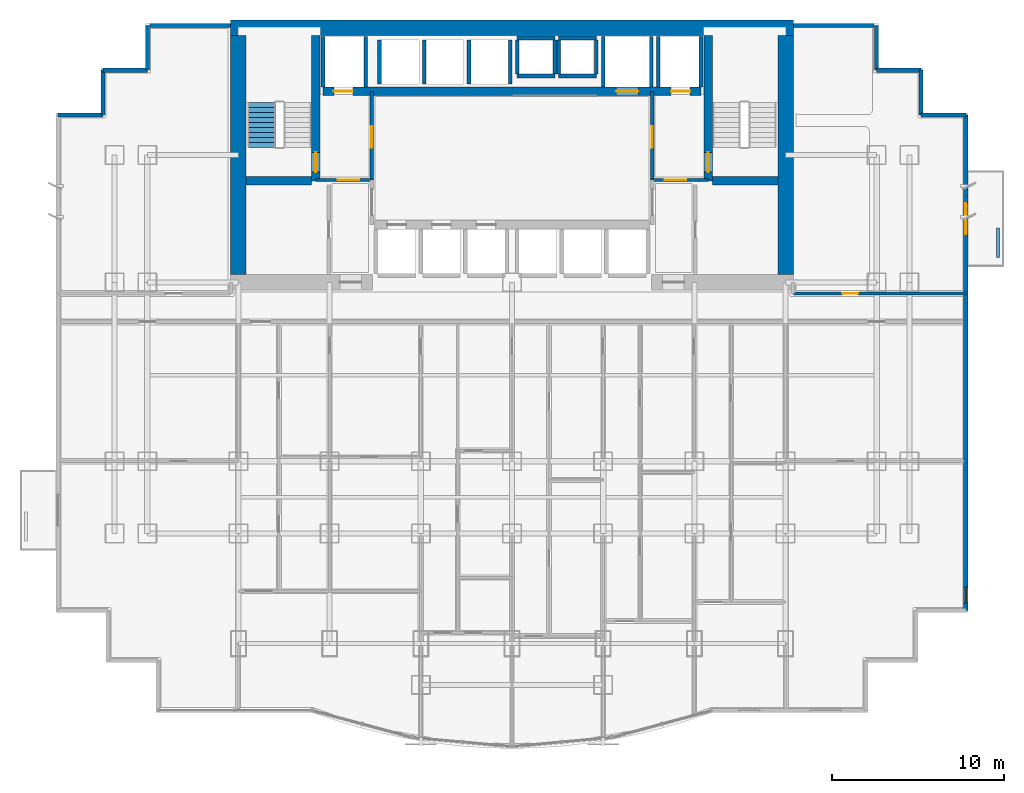
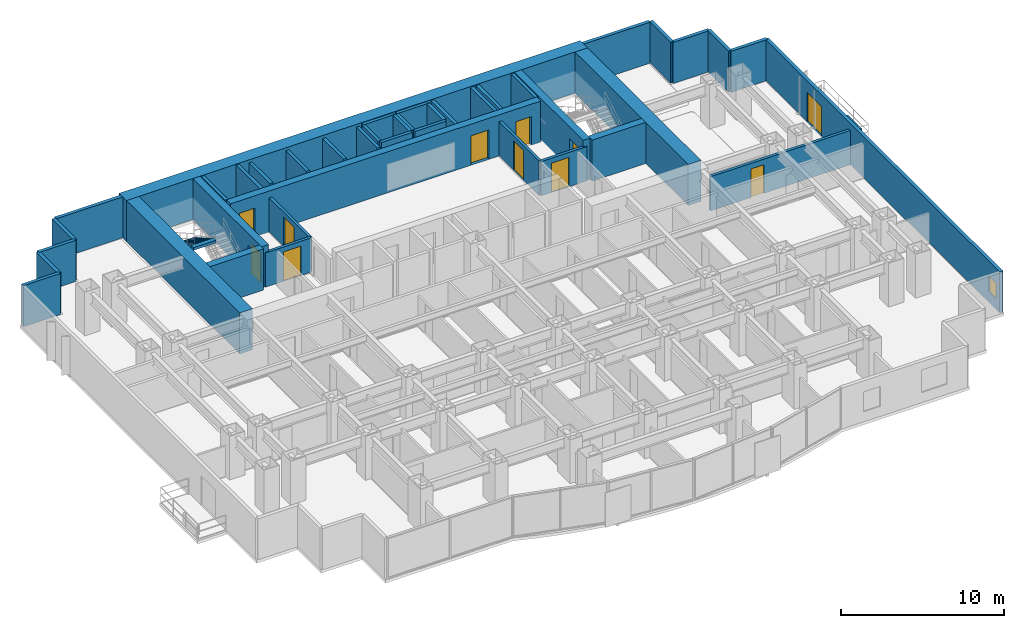
# One storey, part 7 of 10: 43 walls, 11 doors, 1 stair flight, 1 window, 12 openings, 1 element without a shape of its own.
"""IFC4 building model written with IfcOpenShell, lengths in metres."""

from ifc_helpers import new_model, si_unit, direction, frame, frame_2d, origin, place, context, subcontext, project, spatial, polyline, rectangle, outline, extrude, material, layer, layer_set, type_object, element, fill, aggregate, save


model = new_model("IFC4")

# Units and contexts
model_context = context("Model", 3, precision=1e-05, world=origin(), true_north=direction((0.0, 1.0)))
body_context = subcontext(model_context, "Body", "Model", "MODEL_VIEW")
ifc_project = project(units=[si_unit("LENGTHUNIT", "METRE"), si_unit("AREAUNIT", "SQUARE_METRE"), si_unit("VOLUMEUNIT", "CUBIC_METRE"), si_unit("PLANEANGLEUNIT", "RADIAN"), si_unit("MASSUNIT", "GRAM", prefix="KILO")], contexts=[model_context])

# Site, building, storey
site_placement = place(None, origin())
site = spatial("IfcSite", under=ifc_project, at=site_placement, CompositionType="ELEMENT")
building_placement = place(site_placement, origin())
building = spatial("IfcBuilding", under=site, at=building_placement, Name="Qianlan Lanfeng Residences", CompositionType="ELEMENT")
storey_placement = place(building_placement, frame((0.0, 0.0, 57.199951171875)))
storey = spatial("IfcBuildingStorey", under=building, at=storey_placement, Name="L15", CompositionType="ELEMENT", Elevation=57.199951171875)

# Wall, opening, door
ifc_material_1 = material(Name="Concrete C70", Category="concrete")
ifc_layer_1 = layer(ifc_material_1, 0.5)
ifc_layer_set_1 = layer_set([ifc_layer_1], Name="Concrete C70")
wall_type_1 = type_object("IfcWallType", Name="CW-RC-500", PredefinedType="SHEAR", material=ifc_layer_set_1)
wall_1_placement = place(storey_placement, frame((15.10009765625, 31.10009765625, 0.0), z_axis=(0.0, 0.0, 1.0), x_axis=(0.0, 1.0, 0.0)))
wall_1 = element("IfcWall", 1, at=wall_1_placement, inside=storey, type_object=wall_type_1, Name="L15 Core Shear Wall ST1E", PredefinedType="SHEAR", context=body_context, shape_type="SweptSolid", body=[
    extrude(rectangle(XDim=8.449951171875, YDim=0.5, at=frame_2d((4.22509765625, 0.0))), origin(), (0.0, 0.0, 1.0), 3.080078125),
])
opening_1_placement = place(wall_1_placement, frame((0.510009765625, 0.0, 0.0)))
opening_1 = element("IfcOpeningElement", 2, at=opening_1_placement, cuts=wall_1, Name="Opening L15-D07", PredefinedType="OPENING", context=body_context, shape_type="SweptSolid", body=[
    extrude(rectangle(XDim=1.14990234375, YDim=2.199951171875, at=frame_2d((0.574951171875, 1.10009765625))), frame((0.0, 0.260009765625, 0.0), z_axis=(0.0, -1.0, 0.0), x_axis=(1.0, 0.0, 0.0)), (0.0, 0.0, 1.0), 0.52001953125),
])
ifc_material_2 = material(Name="Painted Galvanised Steel Fire Door", Category="steel")
door_type_1 = type_object("IfcDoorType", Name="DT-ST1", OperationType="NOTDEFINED", PredefinedType="DOOR", material=ifc_material_2)
door_1_placement = place(opening_1_placement, frame((1.14990234375, 0.0, 0.0), z_axis=(0.0, 0.0, 1.0), x_axis=(-1.0, 0.0, 0.0)))
door_1 = element("IfcDoor", 3, at=door_1_placement, inside=storey, type_object=door_type_1, Name="L15 Exit Stair ST-1 Door L15-D07 (DT-ST1)", OperationType="SINGLE_SWING_RIGHT", OverallHeight=2.199951171875, OverallWidth=1.14990234375, PredefinedType="DOOR", context=body_context, shape_type="SweptSolid", body=[
    extrude(rectangle(XDim=1.14990234375, YDim=2.199951171875, at=frame_2d((0.574951171875, 1.10009765625))), frame((0.0, 0.02490234375, 0.0), z_axis=(0.0, -1.0, 0.0), x_axis=(1.0, 0.0, 0.0)), (0.0, 0.0, 1.0), 0.050048828125),
])
fill(opening_1, door_1)

# Wall
wall_2_placement = place(storey_placement, frame((11.050048828125, 31.10009765625, 0.0), z_axis=(0.0, 0.0, 1.0), x_axis=(1.0, 0.0, 0.0)))
element("IfcWall", 4, at=wall_2_placement, inside=storey, type_object=wall_type_1, Name="L15 Core Shear Wall ST1S", PredefinedType="SHEAR", context=body_context, shape_type="SweptSolid", body=[
    extrude(rectangle(XDim=3.800048828125, YDim=0.5, at=frame_2d((1.89990234375, 0.0))), origin(), (0.0, 0.0, 1.0), 3.080078125),
])

# Wall, opening, door
wall_3_placement = place(storey_placement, frame((37.89990234375, 31.10009765625, 0.0), z_axis=(0.0, 0.0, 1.0), x_axis=(0.0, 1.0, 0.0)))
wall_3 = element("IfcWall", 5, at=wall_3_placement, inside=storey, type_object=wall_type_1, Name="L15 Core Shear Wall ST2W", PredefinedType="SHEAR", context=body_context, shape_type="SweptSolid", body=[
    extrude(rectangle(XDim=8.449951171875, YDim=0.5, at=frame_2d((4.22509765625, 0.0))), origin(), (0.0, 0.0, 1.0), 3.080078125),
])
opening_2_placement = place(wall_3_placement, frame((0.510009765625, 0.0, 0.0)))
opening_2 = element("IfcOpeningElement", 6, at=opening_2_placement, cuts=wall_3, Name="Opening L15-D08", PredefinedType="OPENING", context=body_context, shape_type="SweptSolid", body=[
    extrude(rectangle(XDim=1.14990234375, YDim=2.199951171875, at=frame_2d((0.574951171875, 1.10009765625))), frame((0.0, 0.260009765625, 0.0), z_axis=(0.0, -1.0, 0.0), x_axis=(1.0, 0.0, 0.0)), (0.0, 0.0, 1.0), 0.52001953125),
])
door_2_placement = place(opening_2_placement, origin())
door_2 = element("IfcDoor", 7, at=door_2_placement, inside=storey, type_object=door_type_1, Name="L15 Exit Stair ST-2 Door L15-D08 (DT-ST1)", OperationType="SINGLE_SWING_RIGHT", OverallHeight=2.199951171875, OverallWidth=1.14990234375, PredefinedType="DOOR", context=body_context, shape_type="SweptSolid", body=[
    extrude(rectangle(XDim=1.14990234375, YDim=2.199951171875, at=frame_2d((0.574951171875, 1.10009765625))), frame((0.0, 0.02490234375, 0.0), z_axis=(0.0, -1.0, 0.0), x_axis=(1.0, 0.0, 0.0)), (0.0, 0.0, 1.0), 0.050048828125),
])
fill(opening_2, door_2)

# Wall
wall_4_placement = place(storey_placement, frame((38.14990234375, 31.10009765625, 0.0), z_axis=(0.0, 0.0, 1.0), x_axis=(1.0, 0.0, 0.0)))
element("IfcWall", 8, at=wall_4_placement, inside=storey, type_object=wall_type_1, Name="L15 Core Shear Wall ST2S", PredefinedType="SHEAR", context=body_context, shape_type="SweptSolid", body=[
    extrude(rectangle(XDim=3.800048828125, YDim=0.5, at=frame_2d((1.89990234375, 0.0))), origin(), (0.0, 0.0, 1.0), 3.080078125),
])

# Wall, openings, doors
wall_5_placement = place(storey_placement, frame((15.5, 36.300048828125, 0.0), z_axis=(0.0, 0.0, 1.0), x_axis=(1.0, 0.0, 0.0)))
wall_5 = element("IfcWall", 9, at=wall_5_placement, inside=storey, type_object=wall_type_1, Name="L15 Core Shear Wall LBN", PredefinedType="SHEAR", context=body_context, shape_type="SweptSolid", body=[
    extrude(rectangle(XDim=22.0, YDim=0.5, at=frame_2d((11.0, 0.0))), origin(), (0.0, 0.0, 1.0), 3.080078125),
])
opening_3_placement = place(wall_5_placement, frame((0.64990234375, 0.0, 0.0)))
opening_3 = element("IfcOpeningElement", 10, at=opening_3_placement, cuts=wall_5, Name="Opening L15-LD-FFL-1", PredefinedType="OPENING", context=body_context, shape_type="SweptSolid", body=[
    extrude(rectangle(XDim=1.10009765625, YDim=2.14990234375, at=frame_2d((0.550048828125, 1.074951171875))), frame((0.0, 0.260009765625, 0.0), z_axis=(0.0, -1.0, 0.0), x_axis=(1.0, 0.0, 0.0)), (0.0, 0.0, 1.0), 0.52001953125),
])
opening_4_placement = place(wall_5_placement, frame((20.25, 0.0, 0.0)))
opening_4 = element("IfcOpeningElement", 11, at=opening_4_placement, cuts=wall_5, Name="Opening L15-LD-FFL-2", PredefinedType="OPENING", context=body_context, shape_type="SweptSolid", body=[
    extrude(rectangle(XDim=1.10009765625, YDim=2.14990234375, at=frame_2d((0.550048828125, 1.074951171875))), frame((0.0, 0.260009765625, 0.0), z_axis=(0.0, -1.0, 0.0), x_axis=(1.0, 0.0, 0.0)), (0.0, 0.0, 1.0), 0.52001953125),
])
opening_5_placement = place(wall_5_placement, frame((17.050048828125, 0.0, 0.0)))
opening_5 = element("IfcOpeningElement", 12, at=opening_5_placement, cuts=wall_5, Name="Opening L15-LD-SVL-1", PredefinedType="OPENING", context=body_context, shape_type="SweptSolid", body=[
    extrude(rectangle(XDim=1.300048828125, YDim=2.199951171875, at=frame_2d((0.64990234375, 1.10009765625))), frame((0.0, 0.260009765625, 0.0), z_axis=(0.0, -1.0, 0.0), x_axis=(1.0, 0.0, 0.0)), (0.0, 0.0, 1.0), 0.52001953125),
])
ifc_material_3 = material(Name="Brushed Stainless Steel Sliding Lift Door", Category="steel")
door_type_2 = type_object("IfcDoorType", Name="LD-01", OperationType="NOTDEFINED", PredefinedType="DOOR", material=ifc_material_3)
door_3_placement = place(opening_3_placement, frame((1.10009765625, 0.0, 0.0), z_axis=(0.0, 0.0, 1.0), x_axis=(-1.0, 0.0, 0.0)))
door_3 = element("IfcDoor", 13, at=door_3_placement, inside=storey, type_object=door_type_2, Name="L15 Elevator FFL-1 Sliding Landing Door", OperationType="DOUBLE_DOOR_SLIDING", OverallHeight=2.14990234375, OverallWidth=1.10009765625, PredefinedType="DOOR", context=body_context, shape_type="SweptSolid", body=[
    extrude(rectangle(XDim=1.10009765625, YDim=2.14990234375, at=frame_2d((0.550048828125, 1.074951171875))), frame((0.0, 0.02490234375, 0.0), z_axis=(0.0, -1.0, 0.0), x_axis=(1.0, 0.0, 0.0)), (0.0, 0.0, 1.0), 0.050048828125),
])
fill(opening_3, door_3)
door_4_placement = place(opening_4_placement, frame((1.10009765625, 0.0, 0.0), z_axis=(0.0, 0.0, 1.0), x_axis=(-1.0, 0.0, 0.0)))
door_4 = element("IfcDoor", 14, at=door_4_placement, inside=storey, type_object=door_type_2, Name="L15 Elevator FFL-2 Sliding Landing Door", OperationType="DOUBLE_DOOR_SLIDING", OverallHeight=2.14990234375, OverallWidth=1.10009765625, PredefinedType="DOOR", context=body_context, shape_type="SweptSolid", body=[
    extrude(rectangle(XDim=1.10009765625, YDim=2.14990234375, at=frame_2d((0.550048828125, 1.074951171875))), frame((0.0, 0.02490234375, 0.0), z_axis=(0.0, -1.0, 0.0), x_axis=(1.0, 0.0, 0.0)), (0.0, 0.0, 1.0), 0.050048828125),
])
fill(opening_4, door_4)
door_type_3 = type_object("IfcDoorType", Name="LD-02", OperationType="NOTDEFINED", PredefinedType="DOOR", material=ifc_material_3)
door_5_placement = place(opening_5_placement, frame((1.300048828125, 0.0, 0.0), z_axis=(0.0, 0.0, 1.0), x_axis=(-1.0, 0.0, 0.0)))
door_5 = element("IfcDoor", 15, at=door_5_placement, inside=storey, type_object=door_type_3, Name="L15 Elevator SVL-1 Sliding Landing Door", OperationType="DOUBLE_DOOR_SLIDING", OverallHeight=2.199951171875, OverallWidth=1.300048828125, PredefinedType="DOOR", context=body_context, shape_type="SweptSolid", body=[
    extrude(rectangle(XDim=1.300048828125, YDim=2.199951171875, at=frame_2d((0.64990234375, 1.10009765625))), frame((0.0, 0.02490234375, 0.0), z_axis=(0.0, -1.0, 0.0), x_axis=(1.0, 0.0, 0.0)), (0.0, 0.0, 1.0), 0.050048828125),
])
fill(opening_5, door_5)

# Walls
ifc_layer_2 = layer(ifc_material_1, 0.89990234375)
ifc_layer_set_2 = layer_set([ifc_layer_2], Name="Concrete C70")
wall_type_2 = type_object("IfcWallType", Name="CW-RC-900", PredefinedType="SHEAR", material=ifc_layer_set_2)
wall_6_placement = place(storey_placement, frame((10.14990234375, 40.0, 0.0), z_axis=(0.0, 0.0, 1.0), x_axis=(1.0, 0.0, 0.0)))
element("IfcWall", 16, at=wall_6_placement, inside=storey, type_object=wall_type_2, Name="L15 Core Shear Wall N", PredefinedType="SHEAR", context=body_context, shape_type="SweptSolid", body=[
    extrude(rectangle(XDim=32.7001953125, YDim=0.89990234375, at=frame_2d((16.35009765625, 0.0))), origin(), (0.0, 0.0, 1.0), 3.080078125),
])
for number, where, z_axis, x_axis, name in (
    (17, (10.60009765625, 25.64990234375, 0.0), (0.0, 0.0, 1.0), (0.0, 1.0, 0.0), "L15 Core Shear Wall W"),
    (18, (42.39990234375, 25.64990234375, 0.0), (0.0, 0.0, 1.0), (0.0, 1.0, 0.0), "L15 Core Shear Wall E"),
):
    element("IfcWall", number, at=place(storey_placement, frame(where, z_axis=z_axis, x_axis=x_axis)), inside=storey, type_object=wall_type_2, Name=name, PredefinedType="SHEAR", context=body_context, shape_type="SweptSolid", body=[
        extrude(rectangle(XDim=13.900146484375, YDim=0.89990234375, at=frame_2d((6.9501953125, 0.0))), origin(), (0.0, 0.0, 1.0), 3.080078125),
    ])

# Wall, openings, door, window
ifc_material_4 = material(Name="Concrete C42", Category="concrete")
ifc_layer_3 = layer(ifc_material_4, 0.239990234375)
ifc_layer_set_3 = layer_set([ifc_layer_3], Name="Concrete C42")
wall_type_3 = type_object("IfcWallType", Name="EW-240", PredefinedType="SOLIDWALL", material=ifc_layer_set_3)
wall_7_placement = place(storey_placement, frame((52.8798828125, 6.1201171875, 0.0), z_axis=(0.0, 0.0, 1.0), x_axis=(0.0, 1.0, 0.0)))
wall_7 = element("IfcWall", 19, at=wall_7_placement, inside=storey, type_object=wall_type_3, Name="L15 Terrace/Balcony Access Exterior Wall 10", PredefinedType="SOLIDWALL", context=body_context, shape_type="SweptSolid", body=[
    extrude(rectangle(XDim=28.809814453125, YDim=0.239990234375, at=frame_2d((14.40478515625, 0.0))), origin(), (0.0, 0.0, 1.0), 3.080078125),
])
opening_6_placement = place(wall_7_placement, frame((21.8798828125, 0.0, 0.0)))
opening_6 = element("IfcOpeningElement", 20, at=opening_6_placement, cuts=wall_7, Name="Opening L15-D-EB-N", PredefinedType="OPENING", context=body_context, shape_type="SweptSolid", body=[
    extrude(rectangle(XDim=1.800048828125, YDim=2.199951171875, at=frame_2d((0.89990234375, 1.10009765625))), frame((0.0, 0.1298828125, 0.0), z_axis=(0.0, -1.0, 0.0), x_axis=(1.0, 0.0, 0.0)), (0.0, 0.0, 1.0), 0.260009765625),
])
opening_7_placement = place(wall_7_placement, frame((0.449951171875, 0.0, 0.75)))
opening_7 = element("IfcOpeningElement", 21, at=opening_7_placement, cuts=wall_7, Name="Opening W-04", PredefinedType="OPENING", context=body_context, shape_type="SweptSolid", body=[
    extrude(rectangle(XDim=0.89990234375, YDim=1.199951171875, at=frame_2d((0.449951171875, 0.60009765625))), frame((0.0, 0.1298828125, 0.0), z_axis=(0.0, -1.0, 0.0), x_axis=(1.0, 0.0, 0.0)), (0.0, 0.0, 1.0), 0.260009765625),
])
ifc_material_5 = material(Name="Anodised Bronze Aluminium Framed Glass", Category="aluminium")
door_type_4 = type_object("IfcDoorType", Name="DT-BAL1", OperationType="NOTDEFINED", PredefinedType="DOOR", material=ifc_material_5)
door_6_placement = place(opening_6_placement, frame((1.800048828125, 0.0, 0.0), z_axis=(0.0, 0.0, 1.0), x_axis=(-1.0, 0.0, 0.0)))
door_6 = element("IfcDoor", 22, at=door_6_placement, inside=storey, type_object=door_type_4, Name="L15 Exterior Access Door EB-N", OperationType="DOUBLE_DOOR_SLIDING", OverallHeight=2.199951171875, OverallWidth=1.800048828125, PredefinedType="DOOR", context=body_context, shape_type="SweptSolid", body=[
    extrude(rectangle(XDim=1.800048828125, YDim=2.199951171875, at=frame_2d((0.89990234375, 1.10009765625))), frame((0.0, 0.02490234375, 0.0), z_axis=(0.0, -1.0, 0.0), x_axis=(1.0, 0.0, 0.0)), (0.0, 0.0, 1.0), 0.050048828125),
])
fill(opening_6, door_6)
ifc_material_6 = material(Name="Anodised Bronze Aluminium Framed Double Glazing", Category="aluminium")
window_type = type_object("IfcWindowType", Name="W-04", PartitioningType="SINGLE_PANEL", PredefinedType="WINDOW", material=ifc_material_6)
window_placement = place(opening_7_placement, origin())
window = element("IfcWindow", 23, at=window_placement, inside=storey, type_object=window_type, Name="L15 Exterior Window W-04", OverallHeight=1.199951171875, OverallWidth=0.89990234375, PartitioningType="SINGLE_PANEL", PredefinedType="WINDOW", context=body_context, shape_type="SweptSolid", body=[
    extrude(rectangle(XDim=0.89990234375, YDim=1.199951171875, at=frame_2d((0.449951171875, 0.60009765625))), frame((0.0, 0.030029296875, 0.0), z_axis=(0.0, -1.0, 0.0), x_axis=(1.0, 0.0, 0.0)), (0.0, 0.0, 1.0), 0.06005859375),
])
fill(opening_7, window)

# Walls
wall_8_placement = place(storey_placement, frame((52.8798828125, 34.929931640625, 0.0), z_axis=(0.0, 0.0, 1.0), x_axis=(-1.0, 0.0, 0.0)))
element("IfcWall", 24, at=wall_8_placement, inside=storey, type_object=wall_type_3, Name="L15 Exterior Facade Spandrel Wall 11", PredefinedType="SOLIDWALL", context=body_context, shape_type="SweptSolid", body=[
    extrude(rectangle(XDim=2.599853515625, YDim=0.239990234375, at=frame_2d((1.2998046875, 0.0))), origin(), (0.0, 0.0, 1.0), 3.080078125),
])
for number, where, z_axis, x_axis, name in (
    (25, (50.280029296875, 34.929931640625, 0.0), (0.0, 0.0, 1.0), (0.0, 1.0, 0.0), "L15 Exterior Facade Spandrel Wall 12"),
    (26, (50.280029296875, 37.530029296875, 0.0), (0.0, 0.0, 1.0), (-1.0, 0.0, 0.0), "L15 Exterior Facade Spandrel Wall 13"),
):
    element("IfcWall", number, at=place(storey_placement, frame(where, z_axis=z_axis, x_axis=x_axis)), inside=storey, type_object=wall_type_3, Name=name, PredefinedType="SOLIDWALL", context=body_context, shape_type="SweptSolid", body=[
        extrude(rectangle(XDim=2.60009765625, YDim=0.239990234375, at=frame_2d((1.300048828125, 0.0))), origin(), (0.0, 0.0, 1.0), 3.080078125),
    ])
wall_9_placement = place(storey_placement, frame((47.679931640625, 37.530029296875, 0.0), z_axis=(0.0, 0.0, 1.0), x_axis=(0.0, 1.0, 0.0)))
element("IfcWall", 27, at=wall_9_placement, inside=storey, type_object=wall_type_3, Name="L15 Exterior Facade Spandrel Wall 14", PredefinedType="SOLIDWALL", context=body_context, shape_type="SweptSolid", body=[
    extrude(rectangle(XDim=2.599853515625, YDim=0.239990234375, at=frame_2d((1.2998046875, 0.0))), origin(), (0.0, 0.0, 1.0), 3.080078125),
])
for number, where, z_axis, x_axis, name in (
    (28, (47.550048828125, 40.1298828125, 0.0), (0.0, 0.0, 1.0), (-1.0, 0.0, 0.0), "L15 North Wing Exterior Wall E"),
    (29, (10.14990234375, 40.1298828125, 0.0), (0.0, 0.0, 1.0), (-1.0, 0.0, 0.0), "L15 North Wing Exterior Wall W"),
):
    element("IfcWall", number, at=place(storey_placement, frame(where, z_axis=z_axis, x_axis=x_axis)), inside=storey, type_object=wall_type_3, Name=name, PredefinedType="SOLIDWALL", context=body_context, shape_type="SweptSolid", body=[
        extrude(rectangle(XDim=4.699951171875, YDim=0.239990234375, at=frame_2d((2.35009765625, 0.0))), origin(), (0.0, 0.0, 1.0), 3.080078125),
    ])
wall_10_placement = place(storey_placement, frame((5.320068359375, 40.1298828125, 0.0), z_axis=(0.0, 0.0, 1.0), x_axis=(0.0, -1.0, 0.0)))
element("IfcWall", 30, at=wall_10_placement, inside=storey, type_object=wall_type_3, Name="L15 Exterior Facade Spandrel Wall 17", PredefinedType="SOLIDWALL", context=body_context, shape_type="SweptSolid", body=[
    extrude(rectangle(XDim=2.599853515625, YDim=0.239990234375, at=frame_2d((1.2998046875, 0.0))), origin(), (0.0, 0.0, 1.0), 3.080078125),
])
for number, where, z_axis, x_axis, name in (
    (31, (5.320068359375, 37.530029296875, 0.0), (0.0, 0.0, 1.0), (-1.0, 0.0, 0.0), "L15 Exterior Facade Spandrel Wall 18"),
    (32, (2.719970703125, 37.530029296875, 0.0), (0.0, 0.0, 1.0), (0.0, -1.0, 0.0), "L15 Exterior Facade Spandrel Wall 19"),
):
    element("IfcWall", number, at=place(storey_placement, frame(where, z_axis=z_axis, x_axis=x_axis)), inside=storey, type_object=wall_type_3, Name=name, PredefinedType="SOLIDWALL", context=body_context, shape_type="SweptSolid", body=[
        extrude(rectangle(XDim=2.60009765625, YDim=0.239990234375, at=frame_2d((1.300048828125, 0.0))), origin(), (0.0, 0.0, 1.0), 3.080078125),
    ])
wall_11_placement = place(storey_placement, frame((2.719970703125, 34.929931640625, 0.0), z_axis=(0.0, 0.0, 1.0), x_axis=(-1.0, 0.0, 0.0)))
element("IfcWall", 33, at=wall_11_placement, inside=storey, type_object=wall_type_3, Name="L15 Exterior Facade Spandrel Wall 20", PredefinedType="SOLIDWALL", context=body_context, shape_type="SweptSolid", body=[
    extrude(rectangle(XDim=2.599853515625, YDim=0.239990234375, at=frame_2d((1.2998046875, 0.0))), origin(), (0.0, 0.0, 1.0), 3.080078125),
])
ifc_layer_4 = layer(ifc_material_4, 0.199951171875)
ifc_layer_set_4 = layer_set([ifc_layer_4], Name="Concrete C42")
wall_type_4 = type_object("IfcWallType", Name="PL-TREE-200", PredefinedType="PARAPET", material=ifc_layer_set_4)
wall_12_placement = place(storey_placement, frame((54.75, 26.64990234375, 0.0), z_axis=(0.0, 0.0, 1.0), x_axis=(0.0, 1.0, 0.0)))
element("IfcWall", 34, at=wall_12_placement, inside=storey, type_object=wall_type_4, Name="L15 East Tree Planter Curb EB-N", PredefinedType="PARAPET", context=body_context, shape_type="SweptSolid", body=[
    extrude(rectangle(XDim=1.7001953125, YDim=0.199951171875, at=frame_2d((0.85009765625, 0.0))), origin(), (0.0, 0.0, 1.0), 0.650146484375),
])

# Wall, opening, door
ifc_material_7 = material(Name="Autoclaved Aerated Concrete Blockwork 200 mm", Category="masonry")
ifc_layer_5 = layer(ifc_material_7, 0.199951171875)
ifc_layer_set_5 = layer_set([ifc_layer_5], Name="Autoclaved Aerated Concrete Blockwork 200 mm")
wall_type_5 = type_object("IfcWallType", Name="PW-200", PredefinedType="PARTITIONING", material=ifc_layer_set_5)
wall_13_placement = place(storey_placement, frame((15.10009765625, 31.14990234375, 0.0), z_axis=(0.0, 0.0, 1.0), x_axis=(1.0, 0.0, 0.0)))
wall_13 = element("IfcWall", 35, at=wall_13_placement, inside=storey, type_object=wall_type_5, Name="L15 Firefighting Lobby 1 South Wall", PredefinedType="PARTITIONING", context=body_context, shape_type="SweptSolid", body=[
    extrude(rectangle(XDim=3.25, YDim=0.199951171875, at=frame_2d((1.625, 0.0))), origin(), (0.0, 0.0, 1.0), 2.570068359375),
])
opening_8_placement = place(wall_13_placement, frame((1.27490234375, 0.0, 0.0)))
opening_8 = element("IfcOpeningElement", 36, at=opening_8_placement, cuts=wall_13, Name="Opening L15-D03", PredefinedType="OPENING", context=body_context, shape_type="SweptSolid", body=[
    extrude(rectangle(XDim=1.25, YDim=2.199951171875, at=frame_2d((0.625, 1.10009765625))), frame((0.0, 0.10986328125, 0.0), z_axis=(0.0, -1.0, 0.0), x_axis=(1.0, 0.0, 0.0)), (0.0, 0.0, 1.0), 0.219970703125),
])
door_type_5 = type_object("IfcDoorType", Name="DT-FFL", OperationType="NOTDEFINED", PredefinedType="DOOR", material=ifc_material_2)
door_7_placement = place(opening_8_placement, origin())
door_7 = element("IfcDoor", 37, at=door_7_placement, inside=storey, type_object=door_type_5, Name="L15 Firefighting Lobby 1 Entry Door L15-D03 (DT-FFL)", OperationType="SINGLE_SWING_LEFT", OverallHeight=2.199951171875, OverallWidth=1.25, PredefinedType="DOOR", context=body_context, shape_type="SweptSolid", body=[
    extrude(rectangle(XDim=1.25, YDim=2.199951171875, at=frame_2d((0.625, 1.10009765625))), frame((0.0, 0.02490234375, 0.0), z_axis=(0.0, -1.0, 0.0), x_axis=(1.0, 0.0, 0.0)), (0.0, 0.0, 1.0), 0.050048828125),
])
fill(opening_8, door_7)

wall_14_placement = place(storey_placement, frame((18.35009765625, 31.14990234375, 0.0), z_axis=(0.0, 0.0, 1.0), x_axis=(0.0, 1.0, 0.0)))
wall_14 = element("IfcWall", 38, at=wall_14_placement, inside=storey, type_object=wall_type_5, Name="L15 Firefighting Lobby 1 East Wall", PredefinedType="PARTITIONING", context=body_context, shape_type="SweptSolid", body=[
    extrude(rectangle(XDim=5.150146484375, YDim=0.199951171875, at=frame_2d((2.5751953125, 0.0))), origin(), (0.0, 0.0, 1.0), 2.570068359375),
])
opening_9_placement = place(wall_14_placement, frame((1.875, 0.0, 0.0)))
opening_9 = element("IfcOpeningElement", 39, at=opening_9_placement, cuts=wall_14, Name="Opening L15-D04", PredefinedType="OPENING", context=body_context, shape_type="SweptSolid", body=[
    extrude(rectangle(XDim=1.25, YDim=2.199951171875, at=frame_2d((0.625, 1.10009765625))), frame((0.0, 0.10986328125, 0.0), z_axis=(0.0, -1.0, 0.0), x_axis=(1.0, 0.0, 0.0)), (0.0, 0.0, 1.0), 0.219970703125),
])
door_8_placement = place(opening_9_placement, origin())
door_8 = element("IfcDoor", 40, at=door_8_placement, inside=storey, type_object=door_type_5, Name="L15 Firefighting Lobby 1 Lift Lobby Door L15-D04 (DT-FFL)", OperationType="SINGLE_SWING_LEFT", OverallHeight=2.199951171875, OverallWidth=1.25, PredefinedType="DOOR", context=body_context, shape_type="SweptSolid", body=[
    extrude(rectangle(XDim=1.25, YDim=2.199951171875, at=frame_2d((0.625, 1.10009765625))), frame((0.0, 0.02490234375, 0.0), z_axis=(0.0, -1.0, 0.0), x_axis=(1.0, 0.0, 0.0)), (0.0, 0.0, 1.0), 0.050048828125),
])
fill(opening_9, door_8)

wall_15_placement = place(storey_placement, frame((34.64990234375, 31.14990234375, 0.0), z_axis=(0.0, 0.0, 1.0), x_axis=(1.0, 0.0, 0.0)))
wall_15 = element("IfcWall", 41, at=wall_15_placement, inside=storey, type_object=wall_type_5, Name="L15 Firefighting Lobby 2 South Wall", PredefinedType="PARTITIONING", context=body_context, shape_type="SweptSolid", body=[
    extrude(rectangle(XDim=3.25, YDim=0.199951171875, at=frame_2d((1.625, 0.0))), origin(), (0.0, 0.0, 1.0), 2.570068359375),
])
opening_10_placement = place(wall_15_placement, frame((0.72509765625, 0.0, 0.0)))
opening_10 = element("IfcOpeningElement", 42, at=opening_10_placement, cuts=wall_15, Name="Opening L15-D05", PredefinedType="OPENING", context=body_context, shape_type="SweptSolid", body=[
    extrude(rectangle(XDim=1.25, YDim=2.199951171875, at=frame_2d((0.625, 1.10009765625))), frame((0.0, 0.10986328125, 0.0), z_axis=(0.0, -1.0, 0.0), x_axis=(1.0, 0.0, 0.0)), (0.0, 0.0, 1.0), 0.219970703125),
])
door_9_placement = place(opening_10_placement, origin())
door_9 = element("IfcDoor", 43, at=door_9_placement, inside=storey, type_object=door_type_5, Name="L15 Firefighting Lobby 2 Entry Door L15-D05 (DT-FFL)", OperationType="SINGLE_SWING_RIGHT", OverallHeight=2.199951171875, OverallWidth=1.25, PredefinedType="DOOR", context=body_context, shape_type="SweptSolid", body=[
    extrude(rectangle(XDim=1.25, YDim=2.199951171875, at=frame_2d((0.625, 1.10009765625))), frame((0.0, 0.02490234375, 0.0), z_axis=(0.0, -1.0, 0.0), x_axis=(1.0, 0.0, 0.0)), (0.0, 0.0, 1.0), 0.050048828125),
])
fill(opening_10, door_9)

wall_16_placement = place(storey_placement, frame((34.64990234375, 31.14990234375, 0.0), z_axis=(0.0, 0.0, 1.0), x_axis=(0.0, 1.0, 0.0)))
wall_16 = element("IfcWall", 44, at=wall_16_placement, inside=storey, type_object=wall_type_5, Name="L15 Firefighting Lobby 2 West Wall", PredefinedType="PARTITIONING", context=body_context, shape_type="SweptSolid", body=[
    extrude(rectangle(XDim=5.150146484375, YDim=0.199951171875, at=frame_2d((2.5751953125, 0.0))), origin(), (0.0, 0.0, 1.0), 2.570068359375),
])
opening_11_placement = place(wall_16_placement, frame((1.875, 0.0, 0.0)))
opening_11 = element("IfcOpeningElement", 45, at=opening_11_placement, cuts=wall_16, Name="Opening L15-D06", PredefinedType="OPENING", context=body_context, shape_type="SweptSolid", body=[
    extrude(rectangle(XDim=1.25, YDim=2.199951171875, at=frame_2d((0.625, 1.10009765625))), frame((0.0, 0.10986328125, 0.0), z_axis=(0.0, -1.0, 0.0), x_axis=(1.0, 0.0, 0.0)), (0.0, 0.0, 1.0), 0.219970703125),
])
door_10_placement = place(opening_11_placement, origin())
door_10 = element("IfcDoor", 46, at=door_10_placement, inside=storey, type_object=door_type_5, Name="L15 Firefighting Lobby 2 Lift Lobby Door L15-D06 (DT-FFL)", OperationType="SINGLE_SWING_LEFT", OverallHeight=2.199951171875, OverallWidth=1.25, PredefinedType="DOOR", context=body_context, shape_type="SweptSolid", body=[
    extrude(rectangle(XDim=1.25, YDim=2.199951171875, at=frame_2d((0.625, 1.10009765625))), frame((0.0, 0.02490234375, 0.0), z_axis=(0.0, -1.0, 0.0), x_axis=(1.0, 0.0, 0.0)), (0.0, 0.0, 1.0), 0.050048828125),
])
fill(opening_11, door_10)

wall_17_placement = place(storey_placement, frame((42.85009765625, 24.550048828125, 0.0), z_axis=(0.0, 0.0, 1.0), x_axis=(1.0, 0.0, 0.0)))
wall_17 = element("IfcWall", 47, at=wall_17_placement, inside=storey, type_object=wall_type_5, Name="L15 Corridor NE Wall", PredefinedType="PARTITIONING", context=body_context, shape_type="SweptSolid", body=[
    extrude(rectangle(XDim=10.02978515625, YDim=0.199951171875, at=frame_2d((5.014892578125, 0.0))), origin(), (0.0, 0.0, 1.0), 2.570068359375),
])
opening_12_placement = place(wall_17_placement, frame((2.85498046875, 0.0, 0.0)))
opening_12 = element("IfcOpeningElement", 48, at=opening_12_placement, cuts=wall_17, Name="Opening L15-D41", PredefinedType="OPENING", context=body_context, shape_type="SweptSolid", body=[
    extrude(rectangle(XDim=0.919921875, YDim=2.14990234375, at=frame_2d((0.4599609375, 1.074951171875))), frame((0.0, 0.10986328125, 0.0), z_axis=(0.0, -1.0, 0.0), x_axis=(1.0, 0.0, 0.0)), (0.0, 0.0, 1.0), 0.219970703125),
])
ifc_material_8 = material(Name="Glazed Timber Kitchen/Study Door", Category="wood")
door_type_6 = type_object("IfcDoorType", Name="DT-INT", OperationType="NOTDEFINED", PredefinedType="DOOR", material=ifc_material_8)
door_11_placement = place(opening_12_placement, origin())
door_11 = element("IfcDoor", 49, at=door_11_placement, inside=storey, type_object=door_type_6, Name="L15 EW Amenity Salon Door L15-D41 (DT-INT)", OperationType="SINGLE_SWING_LEFT", OverallHeight=2.14990234375, OverallWidth=0.919921875, PredefinedType="DOOR", context=body_context, shape_type="SweptSolid", body=[
    extrude(rectangle(XDim=0.919921875, YDim=2.14990234375, at=frame_2d((0.4599609375, 1.074951171875))), frame((0.0, 0.02490234375, 0.0), z_axis=(0.0, -1.0, 0.0), x_axis=(1.0, 0.0, 0.0)), (0.0, 0.0, 1.0), 0.050048828125),
])
fill(opening_12, door_11)

# Walls
ifc_material_9 = material(Name="Concrete C49", Category="concrete")
ifc_layer_6 = layer(ifc_material_9, 0.219970703125)
ifc_layer_set_6 = layer_set([ifc_layer_6], Name="Concrete C49")
wall_type_6 = type_object("IfcWallType", Name="SHW-220", PredefinedType="SOLIDWALL", material=ifc_layer_set_6)
for number, where, z_axis, x_axis, name in (
    (50, (15.52001953125, 36.550048828125, 0.0), (0.0, 0.0, 1.0), (0.0, 1.0, 0.0), "L15 Lift FFL-1 Shaft Wall W"),
    (51, (18.0, 36.550048828125, 0.0), (0.0, 0.0, 1.0), (0.0, 1.0, 0.0), "L15 Lift FFL-1 Shaft Wall E"),
    (52, (35.0, 36.550048828125, 0.0), (0.0, 0.0, 1.0), (0.0, 1.0, 0.0), "L15 Lift FFL-2 Shaft Wall W"),
    (53, (37.47998046875, 36.550048828125, 0.0), (0.0, 0.0, 1.0), (0.0, 1.0, 0.0), "L15 Lift FFL-2 Shaft Wall E"),
    (54, (31.800048828125, 36.550048828125, 0.0), (0.0, 0.0, 1.0), (0.0, 1.0, 0.0), "L15 Lift SVL-1 Shaft Wall W"),
    (55, (34.60009765625, 36.550048828125, 0.0), (0.0, 0.0, 1.0), (0.0, 1.0, 0.0), "L15 Lift SVL-1 Shaft Wall E"),
):
    element("IfcWall", number, at=place(storey_placement, frame(where, z_axis=z_axis, x_axis=x_axis)), inside=storey, type_object=wall_type_6, Name=name, PredefinedType="SOLIDWALL", context=body_context, shape_type="SweptSolid", body=[
        extrude(rectangle(XDim=2.929931640625, YDim=0.219970703125, at=frame_2d((1.46484375, 0.0))), origin(), (0.0, 0.0, 1.0), 3.080078125),
    ])
for number, where, z_axis, x_axis, name in (
    (56, (18.800048828125, 36.719970703125, 0.0), (0.0, 0.0, 1.0), (0.0, 1.0, 0.0), "L15 Lift PL-H1 Shaft Wall W"),
    (57, (21.39990234375, 36.719970703125, 0.0), (0.0, 0.0, 1.0), (0.0, 1.0, 0.0), "L15 Lift PL-H2 Shaft Wall W"),
    (58, (24.0, 36.719970703125, 0.0), (0.0, 0.0, 1.0), (0.0, 1.0, 0.0), "L15 Lift PL-H3 Shaft Wall W"),
    (59, (26.39990234375, 36.719970703125, 0.0), (0.0, 0.0, 1.0), (0.0, 1.0, 0.0), "L15 Lift PL-H3 Shaft Wall E"),
):
    element("IfcWall", number, at=place(storey_placement, frame(where, z_axis=z_axis, x_axis=x_axis)), inside=storey, type_object=wall_type_6, Name=name, PredefinedType="SOLIDWALL", context=body_context, shape_type="SweptSolid", body=[
        extrude(rectangle(XDim=2.56005859375, YDim=0.219970703125, at=frame_2d((1.280029296875, 0.0))), origin(), (0.0, 0.0, 1.0), 3.080078125),
    ])
for number, where, z_axis, x_axis, name in (
    (60, (26.800048828125, 37.31005859375, 0.0), (0.0, 0.0, 1.0), (0.0, 1.0, 0.0), "L15 MEP Riser MEP-R1 Shaft Wall W"),
    (61, (29.0, 37.31005859375, 0.0), (0.0, 0.0, 1.0), (0.0, 1.0, 0.0), "L15 MEP Riser MEP-R1 Shaft Wall E"),
):
    element("IfcWall", number, at=place(storey_placement, frame(where, z_axis=z_axis, x_axis=x_axis)), inside=storey, type_object=wall_type_6, Name=name, PredefinedType="SOLIDWALL", context=body_context, shape_type="SweptSolid", body=[
        extrude(rectangle(XDim=1.97998046875, YDim=0.219970703125, at=frame_2d((0.989990234375, 0.0))), origin(), (0.0, 0.0, 1.0), 3.080078125),
    ])
for number, where, z_axis, x_axis, name in (
    (62, (26.800048828125, 39.39990234375, 0.0), (0.0, 0.0, 1.0), (1.0, 0.0, 0.0), "L15 MEP Riser MEP-R1 Shaft Wall N"),
    (63, (26.800048828125, 37.199951171875, 0.0), (0.0, 0.0, 1.0), (1.0, 0.0, 0.0), "L15 MEP Riser MEP-R1 Shaft Wall S"),
):
    element("IfcWall", number, at=place(storey_placement, frame(where, z_axis=z_axis, x_axis=x_axis)), inside=storey, type_object=wall_type_6, Name=name, PredefinedType="SOLIDWALL", context=body_context, shape_type="SweptSolid", body=[
        extrude(rectangle(XDim=2.199951171875, YDim=0.219970703125, at=frame_2d((1.10009765625, 0.0))), origin(), (0.0, 0.0, 1.0), 3.080078125),
    ])
for number, where, z_axis, x_axis, name in (
    (64, (29.199951171875, 37.31005859375, 0.0), (0.0, 0.0, 1.0), (0.0, 1.0, 0.0), "L15 MEP Riser MEP-R2 Shaft Wall W"),
    (65, (31.39990234375, 37.31005859375, 0.0), (0.0, 0.0, 1.0), (0.0, 1.0, 0.0), "L15 MEP Riser MEP-R2 Shaft Wall E"),
):
    element("IfcWall", number, at=place(storey_placement, frame(where, z_axis=z_axis, x_axis=x_axis)), inside=storey, type_object=wall_type_6, Name=name, PredefinedType="SOLIDWALL", context=body_context, shape_type="SweptSolid", body=[
        extrude(rectangle(XDim=1.97998046875, YDim=0.219970703125, at=frame_2d((0.989990234375, 0.0))), origin(), (0.0, 0.0, 1.0), 3.080078125),
    ])
for number, where, z_axis, x_axis, name in (
    (66, (29.199951171875, 39.39990234375, 0.0), (0.0, 0.0, 1.0), (1.0, 0.0, 0.0), "L15 MEP Riser MEP-R2 Shaft Wall N"),
    (67, (29.199951171875, 37.199951171875, 0.0), (0.0, 0.0, 1.0), (1.0, 0.0, 0.0), "L15 MEP Riser MEP-R2 Shaft Wall S"),
):
    element("IfcWall", number, at=place(storey_placement, frame(where, z_axis=z_axis, x_axis=x_axis)), inside=storey, type_object=wall_type_6, Name=name, PredefinedType="SOLIDWALL", context=body_context, shape_type="SweptSolid", body=[
        extrude(rectangle(XDim=2.199951171875, YDim=0.219970703125, at=frame_2d((1.10009765625, 0.0))), origin(), (0.0, 0.0, 1.0), 3.080078125),
    ])

# Stair, stair flight
stair_type = type_object("IfcStairType", Name="STR-MAIN", PredefinedType="HALF_TURN_STAIR", material=ifc_material_4)
stair_placement = place(storey_placement, origin())
stair = element("IfcStair", 68, at=stair_placement, inside=storey, type_object=stair_type, Name="L15 Exit Stair ST-1", PredefinedType="HALF_TURN_STAIR")
stair_flight_type = type_object("IfcStairFlightType", Name="FLT-1720", PredefinedType="STRAIGHT", material=ifc_material_4)
stair_flight_placement = place(storey_placement, frame((11.93994140625, 35.659912109375, 1.650146484375), z_axis=(0.0, 0.0, 1.0), x_axis=(0.0, -1.0, 0.0)))
stair_flight = element("IfcStairFlight", 69, at=stair_flight_placement, type_object=stair_flight_type, Name="ST-1 flight 2", NumberOfRisers=10, NumberOfTreads=9, PredefinedType="STRAIGHT", RiserHeight=0.165, TreadLength=0.29, context=body_context, shape_type="SweptSolid", body=[
    extrude(outline(polyline([(0.0, 0.0), (0.0, 0.1650390625), (0.2900390625, 0.1650390625), (0.2900390625, 0.330078125), (0.580078125, 0.330078125), (0.580078125, 0.4951171875), (0.8701171875, 0.4951171875), (0.8701171875, 0.659912109375), (1.159912109375, 0.659912109375), (1.159912109375, 0.824951171875), (1.449951171875, 0.824951171875), (1.449951171875, 0.989990234375), (1.739990234375, 0.989990234375), (1.739990234375, 1.155029296875), (2.030029296875, 1.155029296875), (2.030029296875, 1.320068359375), (2.320068359375, 1.320068359375), (2.320068359375, 1.485107421875), (2.610107421875, 1.485107421875), (2.610107421875, 1.64990234375), (2.610107421875, 1.278076171875), (0.36376953125, 0.0), (0.0, 0.0)])), frame((0.0, 0.800048828125, 0.0), z_axis=(0.0, -1.0, 0.0), x_axis=(1.0, 0.0, 0.0)), (0.0, 0.0, 1.0), 1.60009765625),
])
aggregate(stair, [stair_flight])

save(model, "model.ifc")
